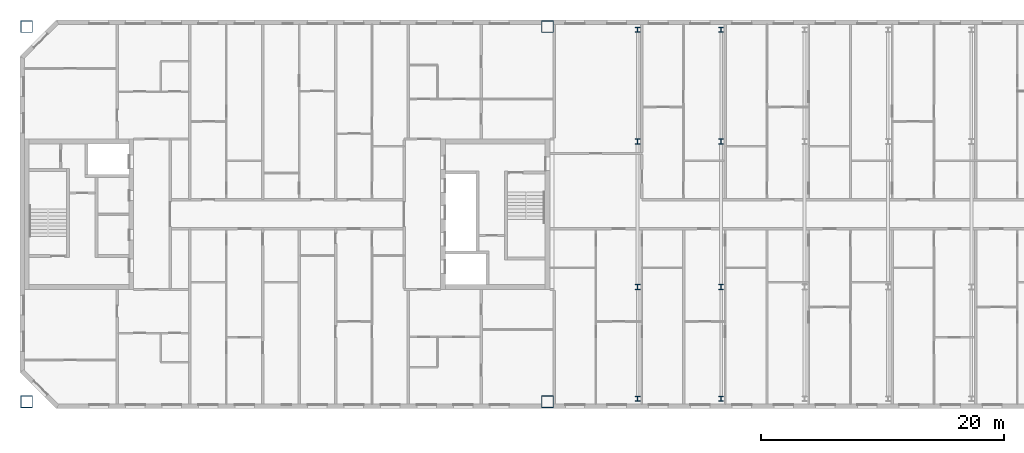
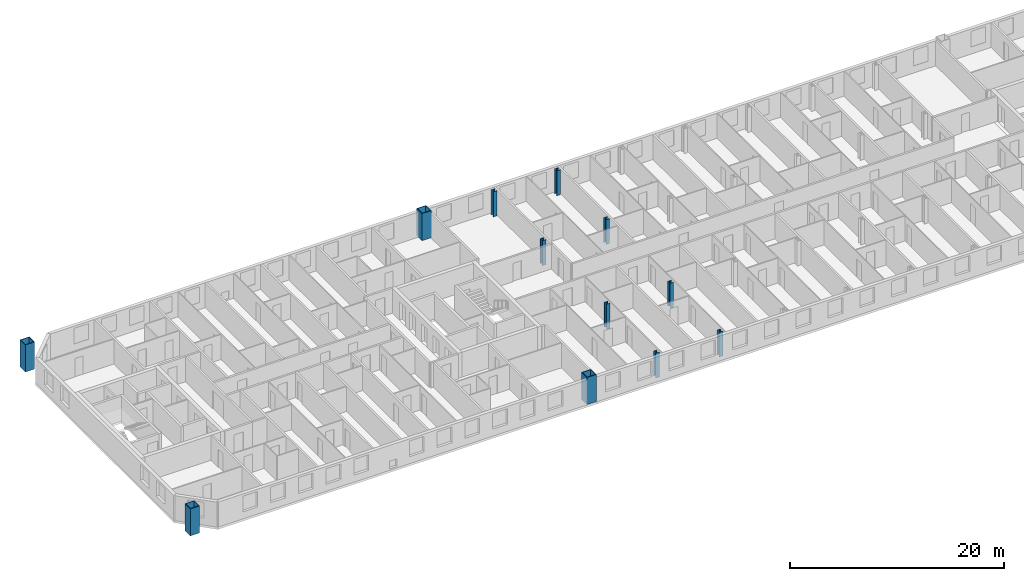
# One storey, part 1 of 19: 12 columns.
"""IFC4 building model written with IfcOpenShell, lengths in metres."""

from ifc_helpers import new_model, si_unit, direction, frame, origin, origin_2d, place, context, subcontext, project, spatial, hollow_rectangle, i_section, extrude, material, material_profile, profile_set, type_object, element, save


model = new_model("IFC4")

# Units and contexts
model_context = context("Model", 3, precision=1e-05, world=origin(), true_north=direction((0.0, 1.0)))
body_context = subcontext(model_context, "Body", "Model", "MODEL_VIEW")
ifc_project = project(units=[si_unit("LENGTHUNIT", "METRE"), si_unit("AREAUNIT", "SQUARE_METRE"), si_unit("VOLUMEUNIT", "CUBIC_METRE"), si_unit("PLANEANGLEUNIT", "RADIAN"), si_unit("MASSUNIT", "GRAM", prefix="KILO")], contexts=[model_context])

# Site, building, storey
site_placement = place(None, origin())
site = spatial("IfcSite", under=ifc_project, at=site_placement, CompositionType="ELEMENT")
building_placement = place(site_placement, origin())
building = spatial("IfcBuilding", under=site, at=building_placement, Name="Tuart Gate Housing", CompositionType="ELEMENT")
storey_placement = place(building_placement, frame((0.0, 0.0, 233.800048828125)))
storey = spatial("IfcBuildingStorey", under=building, at=storey_placement, Name="L66", CompositionType="ELEMENT", Elevation=233.800048828125)

# Columns
ifc_material_1 = material(Name="Steel Grade 350", Category="steel")
ifc_material_profile_1 = material_profile(ifc_material_1, i_section(OverallWidth=0.39990234375, OverallDepth=0.429931640625, WebThickness=0.028076171875, FlangeThickness=0.0400390625, at=origin_2d()), Name="400WC328")
ifc_profile_set_1 = profile_set([ifc_material_profile_1], Name="Steel Grade 350")
column_type_1 = type_object("IfcColumnType", Name="Link column 400 WC328", PredefinedType="COLUMN", material=ifc_profile_set_1)
for number, where, z_axis, x_axis, name in (
    (1, (82.875, 54.800048828125, 0.0), (0.0, 0.0, 1.0), (1.0, 0.0, 0.0), "Link column line 1 point 1 L66"),
    (2, (89.75, 54.800048828125, 0.0), (0.0, 0.0, 1.0), (1.0, 0.0, 0.0), "Link column line 1 point 2 L66"),
    (3, (82.875, 64.0, 0.0), (0.0, 0.0, 1.0), (1.0, 0.0, 0.0), "Link column line 2 point 1 L66"),
    (4, (89.75, 64.0, 0.0), (0.0, 0.0, 1.0), (1.0, 0.0, 0.0), "Link column line 2 point 2 L66"),
    (5, (82.875, 76.0, 0.0), (0.0, 0.0, 1.0), (1.0, 0.0, 0.0), "Link column line 3 point 1 L66"),
    (6, (89.75, 76.0, 0.0), (0.0, 0.0, 1.0), (1.0, 0.0, 0.0), "Link column line 3 point 2 L66"),
    (7, (82.875, 85.199951171875, 0.0), (0.0, 0.0, 1.0), (1.0, 0.0, 0.0), "Link column line 4 point 1 L66"),
    (8, (89.75, 85.199951171875, 0.0), (0.0, 0.0, 1.0), (1.0, 0.0, 0.0), "Link column line 4 point 2 L66"),
):
    element("IfcColumn", number, at=place(storey_placement, frame(where, z_axis=z_axis, x_axis=x_axis)), inside=storey, type_object=column_type_1, Name=name, PredefinedType="COLUMN", context=body_context, shape_type="SweptSolid", body=[
        extrude(i_section(OverallWidth=0.39990234375, OverallDepth=0.429931640625, WebThickness=0.028076171875, FlangeThickness=0.0400390625, at=origin_2d()), origin(), (0.0, 0.0, 1.0), 2.849853515625),
    ])
ifc_material_2 = material(Name="Steel Grade 350", Category="steel")
ifc_material_profile_2 = material_profile(ifc_material_2, hollow_rectangle(XDim=1.0, YDim=1.0, WallThickness=0.054931640625, at=origin_2d()), Name="BOX 1000x1000x55")
ifc_profile_set_2 = profile_set([ifc_material_profile_2], Name="Steel Grade 350")
column_type_2 = type_object("IfcColumnType", Name="Mega column BOX 1000x1000x55", PredefinedType="COLUMN", material=ifc_profile_set_2)
for number, where, z_axis, x_axis, name in (
    (9, (32.550048828125, 54.550048828125, 0.0), (0.0, 0.0, 1.0), (1.0, 0.0, 0.0), "Mega column A south-west L66"),
    (10, (75.449951171875, 54.550048828125, 0.0), (0.0, 0.0, 1.0), (1.0, 0.0, 0.0), "Mega column A south-east L66"),
    (11, (75.449951171875, 85.449951171875, 0.0), (0.0, 0.0, 1.0), (1.0, 0.0, 0.0), "Mega column A north-east L66"),
    (12, (32.550048828125, 85.449951171875, 0.0), (0.0, 0.0, 1.0), (1.0, 0.0, 0.0), "Mega column A north-west L66"),
):
    element("IfcColumn", number, at=place(storey_placement, frame(where, z_axis=z_axis, x_axis=x_axis)), inside=storey, type_object=column_type_2, Name=name, PredefinedType="COLUMN", context=body_context, shape_type="SweptSolid", body=[
        extrude(hollow_rectangle(XDim=1.0, YDim=1.0, WallThickness=0.054931640625, at=origin_2d()), origin(), (0.0, 0.0, 1.0), 3.099853515625),
    ])

save(model, "model.ifc")
